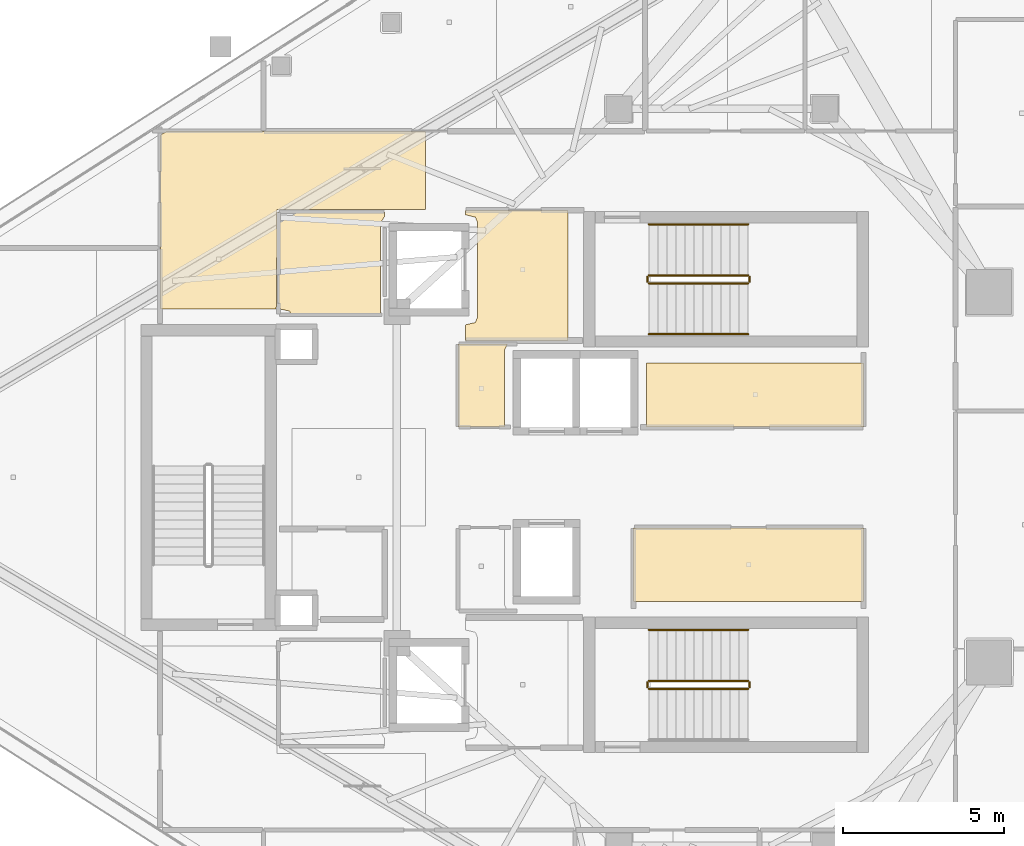
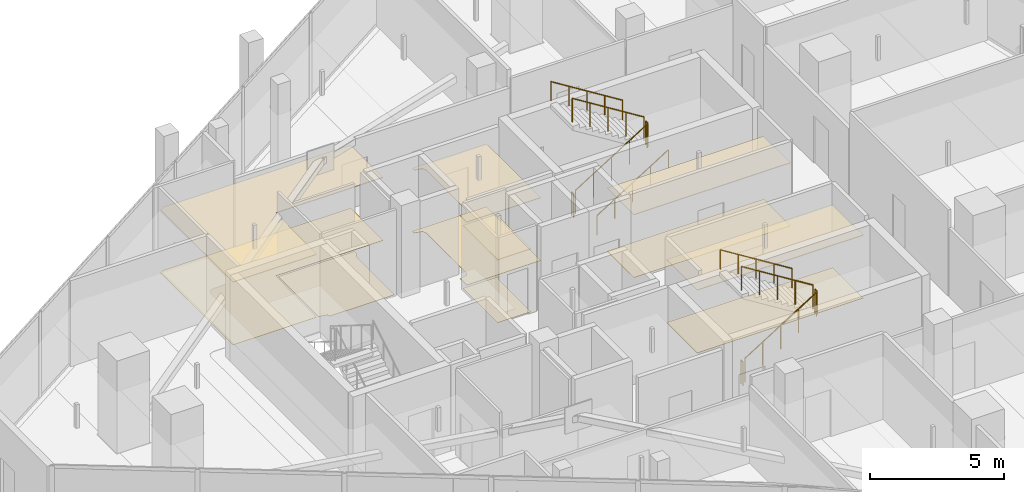
# One storey, part 29 of 30: 11 coverings, 11 railings.
"""IFC4 building model written with IfcOpenShell, lengths in metres."""

from ifc_helpers import new_model, si_unit, direction, frame, origin, origin_2d, place, context, subcontext, project, spatial, polyline, circle, outline, extrude, material, layer, layer_set, type_object, element, save


model = new_model("IFC4")

# Units and contexts
model_context = context("Model", 3, precision=1e-05, world=origin(), true_north=direction((0.0, 1.0)))
body_context = subcontext(model_context, "Body", "Model", "MODEL_VIEW")
ifc_project = project(units=[si_unit("LENGTHUNIT", "METRE"), si_unit("AREAUNIT", "SQUARE_METRE"), si_unit("VOLUMEUNIT", "CUBIC_METRE"), si_unit("PLANEANGLEUNIT", "RADIAN"), si_unit("MASSUNIT", "GRAM", prefix="KILO")], contexts=[model_context])

# Site, building, storey
site_placement = place(None, origin())
site = spatial("IfcSite", under=ifc_project, at=site_placement, CompositionType="ELEMENT")
building_placement = place(site_placement, origin())
building = spatial("IfcBuilding", under=site, at=building_placement, Name="Qorvath Tower", CompositionType="ELEMENT")
storey_placement = place(building_placement, frame((0.0, 0.0, 289.199951171875)))
storey = spatial("IfcBuildingStorey", under=building, at=storey_placement, Name="L67", CompositionType="ELEMENT", Elevation=289.199951171875)

# Coverings
ifc_material_1 = material(Name="Acoustic mineral fibre ceiling tile", Category="gypsum")
ifc_layer_1 = layer(ifc_material_1, 0.030029296875)
ifc_layer_set_1 = layer_set([ifc_layer_1], Name="COV-CEIL")
covering_type_1 = type_object("IfcCoveringType", Name="COV-CEIL", PredefinedType="CEILING", material=ifc_layer_set_1)
covering_1_placement = place(storey_placement, frame((0.0, 0.0, 2.85009765625)))
element("IfcCovering", 1, at=covering_1_placement, inside=storey, type_object=covering_type_1, Name="L67 Suspended Acoustic Ceiling 001", PredefinedType="CEILING", context=body_context, shape_type="SweptSolid", body=[
    extrude(outline(polyline([(-25.18994140625, 4.2548828125), (-25.18994140625, 8.294921875), (-28.375, 8.294921875), (-28.375, 8.159912109375), (-28.063232421875, 8.086669921875), (-27.989990234375, 7.909912109375), (-27.989990234375, 4.989990234375), (-28.063232421875, 4.813232421875), (-28.375, 4.739990234375), (-28.375, 4.2548828125), (-25.18994140625, 4.2548828125)])), origin(), (0.0, 0.0, 1.0), 0.030029296875),
])
covering_2_placement = place(storey_placement, frame((0.0, 0.0, 2.85009765625)))
element("IfcCovering", 2, at=covering_2_placement, inside=storey, type_object=covering_type_1, Name="L67 Suspended Acoustic Ceiling 003", PredefinedType="CEILING", context=body_context, shape_type="SweptSolid", body=[
    extrude(outline(polyline([(-16.0048828125, 3.56005859375), (-22.739990234375, 3.56005859375), (-22.739990234375, 1.56494140625), (-16.0048828125, 1.56494140625), (-16.0048828125, 3.56005859375)])), origin(), (0.0, 0.0, 1.0), 0.030029296875),
])
covering_3_placement = place(storey_placement, frame((0.0, 0.0, 2.85009765625)))
element("IfcCovering", 3, at=covering_3_placement, inside=storey, type_object=covering_type_1, Name="L67 Suspended Acoustic Ceiling 004", PredefinedType="CEILING", context=body_context, shape_type="SweptSolid", body=[
    extrude(outline(polyline([(-23.14501953125, -3.85009765625), (-16.0048828125, -3.85009765625), (-16.0048828125, -1.56494140625), (-23.14501953125, -1.56494140625), (-23.14501953125, -3.85009765625)])), origin(), (0.0, 0.0, 1.0), 0.030029296875),
])
covering_4_placement = place(storey_placement, frame((0.0, 0.0, 2.85009765625)))
element("IfcCovering", 4, at=covering_4_placement, inside=storey, type_object=covering_type_1, Name="L67 Suspended Acoustic Ceiling 005", PredefinedType="CEILING", context=body_context, shape_type="SweptSolid", body=[
    extrude(outline(polyline([(-27.159912109375, 1.56494140625), (-27.159912109375, 3.9599609375), (-27.06689453125, 4.14501953125), (-28.594970703125, 4.14501953125), (-28.594970703125, 1.56494140625), (-27.159912109375, 1.56494140625)])), origin(), (0.0, 0.0, 1.0), 0.030029296875),
])
covering_5_placement = place(storey_placement, frame((0.0, 0.0, 2.85009765625)))
element("IfcCovering", 5, at=covering_5_placement, inside=storey, type_object=covering_type_1, Name="L67 Suspended Acoustic Ceiling 011", PredefinedType="CEILING", context=body_context, shape_type="SweptSolid", body=[
    extrude(outline(polyline([(-29.614990234375, 8.324951171875), (-29.614990234375, 10.7451171875), (-37.67431640625, 10.7451171875), (-37.844970703125, 10.635986328125), (-37.844970703125, 5.239990234375), (-34.2509765625, 5.239990234375), (-34.219970703125, 8.324951171875), (-29.614990234375, 8.324951171875)])), origin(), (0.0, 0.0, 1.0), 0.030029296875),
])
ifc_material_2 = material(Name="Low-VOC modular carpet tile", Category="textile")
ifc_layer_2 = layer(ifc_material_2, 0.014892578125)
ifc_layer_set_2 = layer_set([ifc_layer_2], Name="COV-FLOOR-CPT")
covering_type_2 = type_object("IfcCoveringType", Name="COV-FLOOR-CPT", PredefinedType="FLOORING", material=ifc_layer_set_2)
covering_6_placement = place(storey_placement, origin())
element("IfcCovering", 6, at=covering_6_placement, inside=storey, type_object=covering_type_2, Name="L67 Floor Finish 003", PredefinedType="FLOORING", context=body_context, shape_type="SweptSolid", body=[
    extrude(outline(polyline([(-16.0048828125, 3.56005859375), (-22.739990234375, 3.56005859375), (-22.739990234375, 1.56494140625), (-16.0048828125, 1.56494140625), (-16.0048828125, 3.56005859375)])), origin(), (0.0, 0.0, 1.0), 0.01513671875),
])
covering_7_placement = place(storey_placement, origin())
element("IfcCovering", 7, at=covering_7_placement, inside=storey, type_object=covering_type_2, Name="L67 Floor Finish 004", PredefinedType="FLOORING", context=body_context, shape_type="SweptSolid", body=[
    extrude(outline(polyline([(-23.14501953125, -3.85009765625), (-16.0048828125, -3.85009765625), (-16.0048828125, -1.56494140625), (-23.14501953125, -1.56494140625), (-23.14501953125, -3.85009765625)])), origin(), (0.0, 0.0, 1.0), 0.01513671875),
])
covering_8_placement = place(storey_placement, origin())
element("IfcCovering", 8, at=covering_8_placement, inside=storey, type_object=covering_type_2, Name="L67 Floor Finish 005", PredefinedType="FLOORING", context=body_context, shape_type="SweptSolid", body=[
    extrude(outline(polyline([(-27.159912109375, 1.56494140625), (-27.159912109375, 3.9599609375), (-27.06689453125, 4.14501953125), (-28.594970703125, 4.14501953125), (-28.594970703125, 1.56494140625), (-27.159912109375, 1.56494140625)])), origin(), (0.0, 0.0, 1.0), 0.01513671875),
])
ifc_material_3 = material(Name="Polished epoxy terrazzo flooring", Category="concrete")
ifc_layer_3 = layer(ifc_material_3, 0.02001953125)
ifc_layer_set_3 = layer_set([ifc_layer_3], Name="COV-FLOOR-TRZ")
covering_type_3 = type_object("IfcCoveringType", Name="COV-FLOOR-TRZ", PredefinedType="FLOORING", material=ifc_layer_set_3)
covering_9_placement = place(storey_placement, origin())
element("IfcCovering", 9, at=covering_9_placement, inside=storey, type_object=covering_type_3, Name="L67 Floor Finish 001", PredefinedType="FLOORING", context=body_context, shape_type="SweptSolid", body=[
    extrude(outline(polyline([(-25.18994140625, 4.2548828125), (-25.18994140625, 8.294921875), (-28.375, 8.294921875), (-28.375, 8.159912109375), (-28.063232421875, 8.086669921875), (-27.989990234375, 7.909912109375), (-27.989990234375, 4.989990234375), (-28.063232421875, 4.813232421875), (-28.375, 4.739990234375), (-28.375, 4.2548828125), (-25.18994140625, 4.2548828125)])), origin(), (0.0, 0.0, 1.0), 0.01513671875),
])
covering_10_placement = place(storey_placement, origin())
element("IfcCovering", 10, at=covering_10_placement, inside=storey, type_object=covering_type_3, Name="L67 Floor Finish 007", PredefinedType="FLOORING", context=body_context, shape_type="SweptSolid", body=[
    extrude(outline(polyline([(-31.010009765625, 5.054931640625), (-31.010009765625, 7.909912109375), (-30.885009765625, 8.108154296875), (-30.885009765625, 8.2451171875), (-34.175048828125, 8.2451171875), (-34.175048828125, 5.239990234375), (-33.833251953125, 5.166748046875), (-33.786865234375, 5.054931640625), (-31.010009765625, 5.054931640625)])), origin(), (0.0, 0.0, 1.0), 0.01513671875),
])
covering_11_placement = place(storey_placement, origin())
element("IfcCovering", 11, at=covering_11_placement, inside=storey, type_object=covering_type_3, Name="L67 Floor Finish 011", PredefinedType="FLOORING", context=body_context, shape_type="SweptSolid", body=[
    extrude(outline(polyline([(-29.614990234375, 8.324951171875), (-29.614990234375, 10.7451171875), (-37.67431640625, 10.7451171875), (-37.844970703125, 10.635986328125), (-37.844970703125, 5.239990234375), (-34.2509765625, 5.239990234375), (-34.219970703125, 8.324951171875), (-29.614990234375, 8.324951171875)])), origin(), (0.0, 0.0, 1.0), 0.01513671875),
])

# Railings
ifc_material_4 = material(Name="Painted galvanised steel", Category="steel")
railing_type_1 = type_object("IfcRailingType", Name="RL-STR-GRD", PredefinedType="GUARDRAIL", material=ifc_material_4)
railing_1_placement = place(storey_placement, frame((-22.669921875, 6.030029296875, 0.175048828125)))
element("IfcRailing", 12, at=railing_1_placement, inside=storey, type_object=railing_type_1, Name="L67 TS1 stair guard 1", PredefinedType="GUARDRAIL", context=body_context, shape_type="SweptSolid", body=[
    extrude(circle(Radius=0.02392578125, at=origin_2d()), frame((0.0, 0.0, 1.076171875), z_axis=(0.847979421464, 0.0, 0.530029150871), x_axis=(0.0, 1.0, 0.0)), (0.0, 0.0, 1.0), 3.632080078125),
    extrude(circle(Radius=0.02099609375, at=origin_2d()), origin(), (0.0, 0.0, 1.0), 1.052001953125),
    extrude(circle(Radius=0.02099609375, at=origin_2d()), frame((0.77001953125, 0.0, 0.481201171875)), (0.0, 0.0, 1.0), 1.052001953125),
    extrude(circle(Radius=0.02099609375, at=origin_2d()), frame((1.5400390625, 0.0, 0.96240234375)), (0.0, 0.0, 1.0), 1.052001953125),
    extrude(circle(Radius=0.02099609375, at=origin_2d()), frame((2.309814453125, 0.0, 1.44384765625)), (0.0, 0.0, 1.0), 1.052001953125),
    extrude(circle(Radius=0.02099609375, at=origin_2d()), frame((3.079833984375, 0.0, 1.925048828125)), (0.0, 0.0, 1.0), 1.052001953125),
])
railing_2_placement = place(storey_placement, frame((-19.5400390625, 6.080078125, 2.10009765625)))
element("IfcRailing", 13, at=railing_2_placement, inside=storey, type_object=railing_type_1, Name="L67 TS1 stair guard 2", PredefinedType="GUARDRAIL", context=body_context, shape_type="SweptSolid", body=[
    extrude(circle(Radius=0.02392578125, at=origin_2d()), frame((0.0, 0.0, 1.076171875), z_axis=(0.0, 1.0, 0.0), x_axis=(-1.0, 0.0, 0.0)), (0.0, 0.0, 1.0), 0.14990234375),
    extrude(circle(Radius=0.02099609375, at=origin_2d()), origin(), (0.0, 0.0, 1.0), 1.052001953125),
    extrude(circle(Radius=0.02099609375, at=origin_2d()), frame((0.0, 0.14990234375, 0.0)), (0.0, 0.0, 1.0), 1.052001953125),
])
railing_3_placement = place(storey_placement, frame((-19.590087890625, 6.280029296875, 2.275146484375)))
element("IfcRailing", 14, at=railing_3_placement, inside=storey, type_object=railing_type_1, Name="L67 TS1 stair guard 3", PredefinedType="GUARDRAIL", context=body_context, shape_type="SweptSolid", body=[
    extrude(circle(Radius=0.02392578125, at=origin_2d()), frame((0.0, 0.0, 1.076171875), z_axis=(-0.848009633417, 0.0, 0.529980812513), x_axis=(0.0, -1.0, 0.0)), (0.0, 0.0, 1.0), 3.6318359375),
    extrude(circle(Radius=0.02099609375, at=origin_2d()), origin(), (0.0, 0.0, 1.0), 1.052001953125),
    extrude(circle(Radius=0.02099609375, at=origin_2d()), frame((-0.77001953125, 0.0, 0.481201171875)), (0.0, 0.0, 1.0), 1.052001953125),
    extrude(circle(Radius=0.02099609375, at=origin_2d()), frame((-1.5400390625, 0.0, 0.96240234375)), (0.0, 0.0, 1.0), 1.052001953125),
    extrude(circle(Radius=0.02099609375, at=origin_2d()), frame((-2.309814453125, 0.0, 1.443603515625)), (0.0, 0.0, 1.0), 1.052001953125),
    extrude(circle(Radius=0.02099609375, at=origin_2d()), frame((-3.079833984375, 0.0, 1.9248046875)), (0.0, 0.0, 1.0), 1.052001953125),
])
railing_4_placement = place(storey_placement, frame((-22.719970703125, 6.080078125, 0.0)))
element("IfcRailing", 15, at=railing_4_placement, inside=storey, type_object=railing_type_1, Name="L67 TS1 stair guard 4", PredefinedType="GUARDRAIL", context=body_context, shape_type="SweptSolid", body=[
    extrude(circle(Radius=0.02392578125, at=origin_2d()), frame((0.0, 0.0, 1.076171875), z_axis=(0.0, 1.0, 0.0), x_axis=(-1.0, 0.0, 0.0)), (0.0, 0.0, 1.0), 0.14990234375),
    extrude(circle(Radius=0.02099609375, at=origin_2d()), origin(), (0.0, 0.0, 1.0), 1.052001953125),
    extrude(circle(Radius=0.02099609375, at=origin_2d()), frame((0.0, 0.14990234375, 0.0)), (0.0, 0.0, 1.0), 1.052001953125),
])
railing_5_placement = place(storey_placement, frame((-22.669921875, -6.570068359375, 0.175048828125)))
element("IfcRailing", 16, at=railing_5_placement, inside=storey, type_object=railing_type_1, Name="L67 TS2 stair guard 1", PredefinedType="GUARDRAIL", context=body_context, shape_type="SweptSolid", body=[
    extrude(circle(Radius=0.02392578125, at=origin_2d()), frame((0.0, 0.0, 1.076171875), z_axis=(0.847979421464, 0.0, 0.530029150871), x_axis=(0.0, 1.0, 0.0)), (0.0, 0.0, 1.0), 3.632080078125),
    extrude(circle(Radius=0.02099609375, at=origin_2d()), origin(), (0.0, 0.0, 1.0), 1.052001953125),
    extrude(circle(Radius=0.02099609375, at=origin_2d()), frame((0.77001953125, 0.0, 0.481201171875)), (0.0, 0.0, 1.0), 1.052001953125),
    extrude(circle(Radius=0.02099609375, at=origin_2d()), frame((1.5400390625, 0.0, 0.96240234375)), (0.0, 0.0, 1.0), 1.052001953125),
    extrude(circle(Radius=0.02099609375, at=origin_2d()), frame((2.309814453125, 0.0, 1.44384765625)), (0.0, 0.0, 1.0), 1.052001953125),
    extrude(circle(Radius=0.02099609375, at=origin_2d()), frame((3.079833984375, 0.0, 1.925048828125)), (0.0, 0.0, 1.0), 1.052001953125),
])
railing_6_placement = place(storey_placement, frame((-19.5400390625, -6.52001953125, 2.10009765625)))
element("IfcRailing", 17, at=railing_6_placement, inside=storey, type_object=railing_type_1, Name="L67 TS2 stair guard 2", PredefinedType="GUARDRAIL", context=body_context, shape_type="SweptSolid", body=[
    extrude(circle(Radius=0.02392578125, at=origin_2d()), frame((0.0, 0.0, 1.076171875), z_axis=(0.0, 1.0, 0.0), x_axis=(-1.0, 0.0, 0.0)), (0.0, 0.0, 1.0), 0.14990234375),
    extrude(circle(Radius=0.02099609375, at=origin_2d()), origin(), (0.0, 0.0, 1.0), 1.052001953125),
    extrude(circle(Radius=0.02099609375, at=origin_2d()), frame((0.0, 0.14990234375, 0.0)), (0.0, 0.0, 1.0), 1.052001953125),
])
railing_7_placement = place(storey_placement, frame((-19.590087890625, -6.320068359375, 2.275146484375)))
element("IfcRailing", 18, at=railing_7_placement, inside=storey, type_object=railing_type_1, Name="L67 TS2 stair guard 3", PredefinedType="GUARDRAIL", context=body_context, shape_type="SweptSolid", body=[
    extrude(circle(Radius=0.02392578125, at=origin_2d()), frame((0.0, 0.0, 1.076171875), z_axis=(-0.848009633417, 0.0, 0.529980812513), x_axis=(0.0, -1.0, 0.0)), (0.0, 0.0, 1.0), 3.6318359375),
    extrude(circle(Radius=0.02099609375, at=origin_2d()), origin(), (0.0, 0.0, 1.0), 1.052001953125),
    extrude(circle(Radius=0.02099609375, at=origin_2d()), frame((-0.77001953125, 0.0, 0.481201171875)), (0.0, 0.0, 1.0), 1.052001953125),
    extrude(circle(Radius=0.02099609375, at=origin_2d()), frame((-1.5400390625, 0.0, 0.96240234375)), (0.0, 0.0, 1.0), 1.052001953125),
    extrude(circle(Radius=0.02099609375, at=origin_2d()), frame((-2.309814453125, 0.0, 1.443603515625)), (0.0, 0.0, 1.0), 1.052001953125),
    extrude(circle(Radius=0.02099609375, at=origin_2d()), frame((-3.079833984375, 0.0, 1.9248046875)), (0.0, 0.0, 1.0), 1.052001953125),
])
railing_8_placement = place(storey_placement, frame((-22.719970703125, -6.52001953125, 0.0)))
element("IfcRailing", 19, at=railing_8_placement, inside=storey, type_object=railing_type_1, Name="L67 TS2 stair guard 4", PredefinedType="GUARDRAIL", context=body_context, shape_type="SweptSolid", body=[
    extrude(circle(Radius=0.02392578125, at=origin_2d()), frame((0.0, 0.0, 1.076171875), z_axis=(0.0, 1.0, 0.0), x_axis=(-1.0, 0.0, 0.0)), (0.0, 0.0, 1.0), 0.14990234375),
    extrude(circle(Radius=0.02099609375, at=origin_2d()), origin(), (0.0, 0.0, 1.0), 1.052001953125),
    extrude(circle(Radius=0.02099609375, at=origin_2d()), frame((0.0, 0.14990234375, 0.0)), (0.0, 0.0, 1.0), 1.052001953125),
])
ifc_material_5 = material(Name="Brushed stainless steel AISI 304", Category="steel")
railing_type_2 = type_object("IfcRailingType", Name="RL-STR-HND", PredefinedType="HANDRAIL", material=ifc_material_5)
railing_9_placement = place(storey_placement, frame((-22.669921875, 4.449951171875, 0.175048828125)))
element("IfcRailing", 20, at=railing_9_placement, inside=storey, type_object=railing_type_2, Name="L67 TS1 stair handrail 1", PredefinedType="HANDRAIL", context=body_context, shape_type="SweptSolid", body=[
    extrude(circle(Radius=0.02392578125, at=origin_2d()), frame((0.0, 0.0, 0.8759765625), z_axis=(0.847979421464, 0.0, 0.530029150871), x_axis=(0.0, 1.0, 0.0)), (0.0, 0.0, 1.0), 3.632080078125),
    extrude(circle(Radius=0.02099609375, at=origin_2d()), origin(), (0.0, 0.0, 1.0), 0.851806640625),
    extrude(circle(Radius=0.02099609375, at=origin_2d()), frame((0.77001953125, 0.0, 0.481201171875)), (0.0, 0.0, 1.0), 0.851806640625),
    extrude(circle(Radius=0.02099609375, at=origin_2d()), frame((1.5400390625, 0.0, 0.96240234375)), (0.0, 0.0, 1.0), 0.851806640625),
    extrude(circle(Radius=0.02099609375, at=origin_2d()), frame((2.309814453125, 0.0, 1.44384765625)), (0.0, 0.0, 1.0), 0.851806640625),
    extrude(circle(Radius=0.02099609375, at=origin_2d()), frame((3.079833984375, 0.0, 1.925048828125)), (0.0, 0.0, 1.0), 0.851806640625),
])
for number, where, name in (
    (21, (-19.590087890625, 7.860107421875, 2.275146484375), "L67 TS1 stair handrail 2"),
    (22, (-19.590087890625, -4.739990234375, 2.275146484375), "L67 TS2 stair handrail 2"),
):
    element("IfcRailing", number, at=place(storey_placement, frame(where)), inside=storey, type_object=railing_type_2, Name=name, PredefinedType="HANDRAIL", context=body_context, shape_type="SweptSolid", body=[
        extrude(circle(Radius=0.02392578125, at=origin_2d()), frame((0.0, 0.0, 0.8759765625), z_axis=(-0.848009633417, 0.0, 0.529980812513), x_axis=(0.0, -1.0, 0.0)), (0.0, 0.0, 1.0), 3.6318359375),
        extrude(circle(Radius=0.02099609375, at=origin_2d()), origin(), (0.0, 0.0, 1.0), 0.851806640625),
        extrude(circle(Radius=0.02099609375, at=origin_2d()), frame((-0.77001953125, 0.0, 0.481201171875)), (0.0, 0.0, 1.0), 0.851806640625),
        extrude(circle(Radius=0.02099609375, at=origin_2d()), frame((-1.5400390625, 0.0, 0.96240234375)), (0.0, 0.0, 1.0), 0.851806640625),
        extrude(circle(Radius=0.02099609375, at=origin_2d()), frame((-2.309814453125, 0.0, 1.443603515625)), (0.0, 0.0, 1.0), 0.851806640625),
        extrude(circle(Radius=0.02099609375, at=origin_2d()), frame((-3.079833984375, 0.0, 1.9248046875)), (0.0, 0.0, 1.0), 0.851806640625),
    ])

save(model, "model.ifc")
